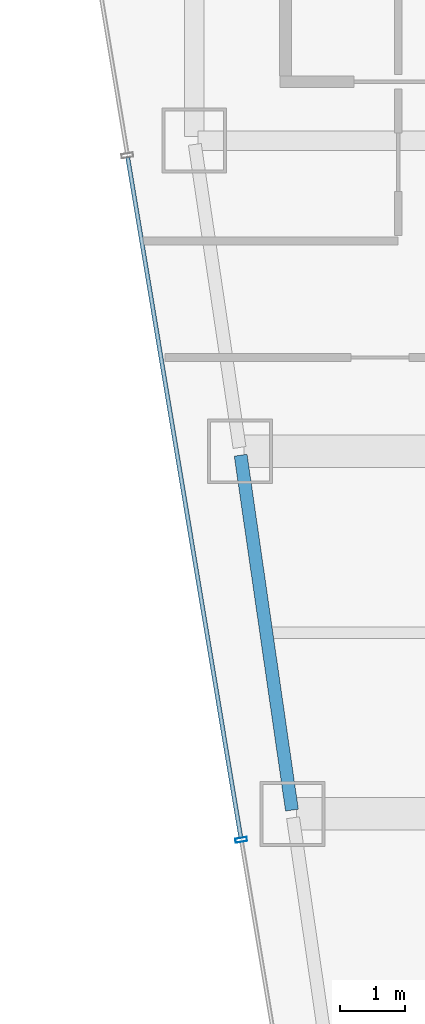
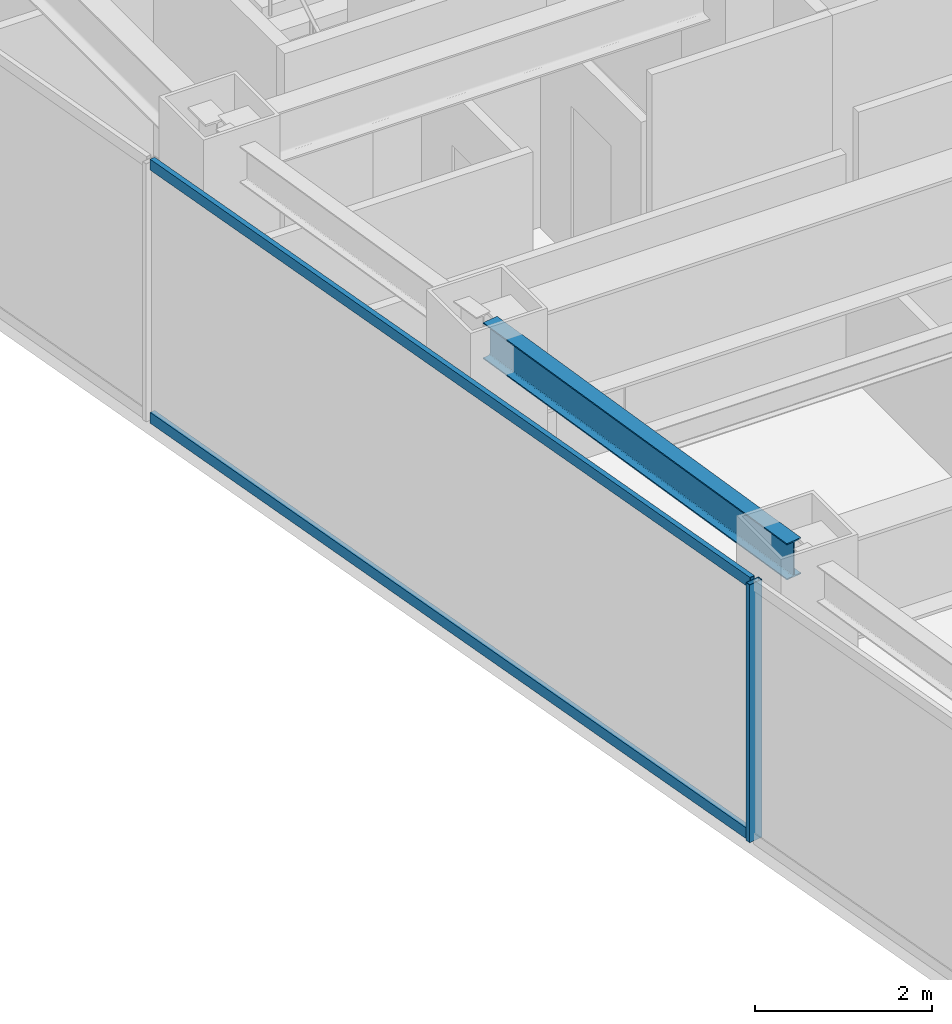
# One storey, part 9 of 37: 3 members, 1 beam, 1 element without a shape of its own.
"""IFC4 building model written with IfcOpenShell, lengths in metres."""

from ifc_helpers import new_model, si_unit, direction, frame, origin, origin_2d, place, context, subcontext, project, spatial, hollow_rectangle, i_section, extrude, material, material_profile, profile_set, type_object, element, aggregate, save


model = new_model("IFC4")

# Units and contexts
model_context = context("Model", 3, precision=1e-05, world=origin(), true_north=direction((0.0, 1.0)))
body_context = subcontext(model_context, "Body", "Model", "MODEL_VIEW")
ifc_project = project(units=[si_unit("LENGTHUNIT", "METRE"), si_unit("AREAUNIT", "SQUARE_METRE"), si_unit("VOLUMEUNIT", "CUBIC_METRE"), si_unit("PLANEANGLEUNIT", "RADIAN"), si_unit("MASSUNIT", "GRAM", prefix="KILO")], contexts=[model_context])

# Site, building, storey
site_placement = place(None, origin())
site = spatial("IfcSite", under=ifc_project, at=site_placement, CompositionType="ELEMENT")
building_placement = place(site_placement, origin())
building = spatial("IfcBuilding", under=site, at=building_placement, Name="Saevonmaru Cultural Tower", CompositionType="ELEMENT")
storey_placement = place(building_placement, frame((0.0, 0.0, 163.800048828125)))
storey = spatial("IfcBuildingStorey", under=building, at=storey_placement, Name="L36", CompositionType="ELEMENT", Elevation=163.800048828125)

# Beam
ifc_material_1 = material(Name="Steel SM355", Category="steel")
ifc_material_profile_1 = material_profile(ifc_material_1, i_section(OverallWidth=0.199951171875, OverallDepth=0.5, WebThickness=0.010009765625, FlangeThickness=0.01611328125, FilletRadius=0.02001953125, at=origin_2d()), Name="H-500x200x10x16")
ifc_profile_set_1 = profile_set([ifc_material_profile_1], Name="Steel SM355")
beam_type = type_object("IfcBeamType", Name="BM-SP-H500", PredefinedType="SPANDREL", material=ifc_profile_set_1)
beam_placement = place(storey_placement, frame((8.308349609375, 32.059326171875, 3.300048828125), z_axis=(-0.142964121327, 0.989727871697, 0.0), x_axis=(-0.989727871697, -0.142964121327, 0.0)))
element("IfcBeam", 1, at=beam_placement, inside=storey, type_object=beam_type, Name="L36 West Splayed Spandrel 4", PredefinedType="SPANDREL", context=body_context, shape_type="SweptSolid", body=[
    extrude(i_section(OverallWidth=0.199951171875, OverallDepth=0.5, WebThickness=0.010009765625, FlangeThickness=0.01611328125, FilletRadius=0.02001953125, at=origin_2d()), origin(), (0.0, 0.0, 1.0), 5.5380859375),
])

# Curtain wall, members
ifc_material_2 = material(Name="Satin Bronze Anodised Aluminium", Category="aluminium")
curtain_wall_type = type_object("IfcCurtainWallType", Name="CW-TYP-A", PredefinedType="NOTDEFINED", material=ifc_material_2)
curtain_wall_placement = place(storey_placement, origin())
curtain_wall = element("IfcCurtainWall", 2, at=curtain_wall_placement, inside=storey, type_object=curtain_wall_type, Name="L36 Unitised Curtain Wall E12", PredefinedType="NOTDEFINED")
ifc_material_profile_2 = material_profile(ifc_material_2, hollow_rectangle(XDim=0.06494140625, YDim=0.179931640625, WallThickness=0.00390625, at=origin_2d()), Name="ALU-MULL-180x65x4")
ifc_profile_set_2 = profile_set([ifc_material_profile_2], Name="Satin Bronze Anodised Aluminium")
member_type_1 = type_object("IfcMemberType", Name="ML-CW-180x65", PredefinedType="MULLION", material=ifc_profile_set_2)
member_1_placement = place(storey_placement, frame((7.5244140625, 31.60009765625, 0.0), z_axis=(0.0, 0.0, 1.0), x_axis=(0.163998702345, -0.986460554523, 0.0)))
member_1 = element("IfcMember", 3, at=member_1_placement, type_object=member_type_1, Name="CW-TW-L36-E12 mullion 3", PredefinedType="MULLION", context=body_context, shape_type="SweptSolid", body=[
    extrude(hollow_rectangle(XDim=0.06494140625, YDim=0.179931640625, WallThickness=0.00390625, at=origin_2d()), origin(), (0.0, 0.0, 1.0), 3.550048828125),
])
ifc_material_profile_3 = material_profile(ifc_material_2, hollow_rectangle(XDim=0.06494140625, YDim=0.14990234375, WallThickness=0.00390625, at=origin_2d()), Name="ALU-TRAN-150x65x4")
ifc_profile_set_3 = profile_set([ifc_material_profile_3], Name="Satin Bronze Anodised Aluminium")
member_type_2 = type_object("IfcMemberType", Name="TR-CW-150x65", PredefinedType="USERDEFINED", material=ifc_profile_set_3)
member_2_placement = place(storey_placement, frame((5.7724609375, 42.138427734375, 0.032470703125), z_axis=(0.163990079074, -0.9864619881, 0.0), x_axis=(0.9864619881, 0.163990079074, 0.0)))
member_2 = element("IfcMember", 4, at=member_2_placement, type_object=member_type_2, Name="CW-TW-L36-E12 transom 2.1", ObjectType="TRANSOM", PredefinedType="USERDEFINED", context=body_context, shape_type="SweptSolid", body=[
    extrude(hollow_rectangle(XDim=0.06494140625, YDim=0.14990234375, WallThickness=0.00390625, at=origin_2d()), origin(), (0.0, 0.0, 1.0), 10.650634765625),
])
member_3_placement = place(storey_placement, frame((5.7724609375, 42.138427734375, 3.517333984375), z_axis=(0.163990079074, -0.9864619881, 0.0), x_axis=(0.9864619881, 0.163990079074, 0.0)))
member_3 = element("IfcMember", 5, at=member_3_placement, type_object=member_type_2, Name="CW-TW-L36-E12 transom 2.2", ObjectType="TRANSOM", PredefinedType="USERDEFINED", context=body_context, shape_type="SweptSolid", body=[
    extrude(hollow_rectangle(XDim=0.06494140625, YDim=0.14990234375, WallThickness=0.00390625, at=origin_2d()), origin(), (0.0, 0.0, 1.0), 10.650634765625),
])
aggregate(curtain_wall, [member_1, member_2, member_3])

save(model, "model.ifc")
